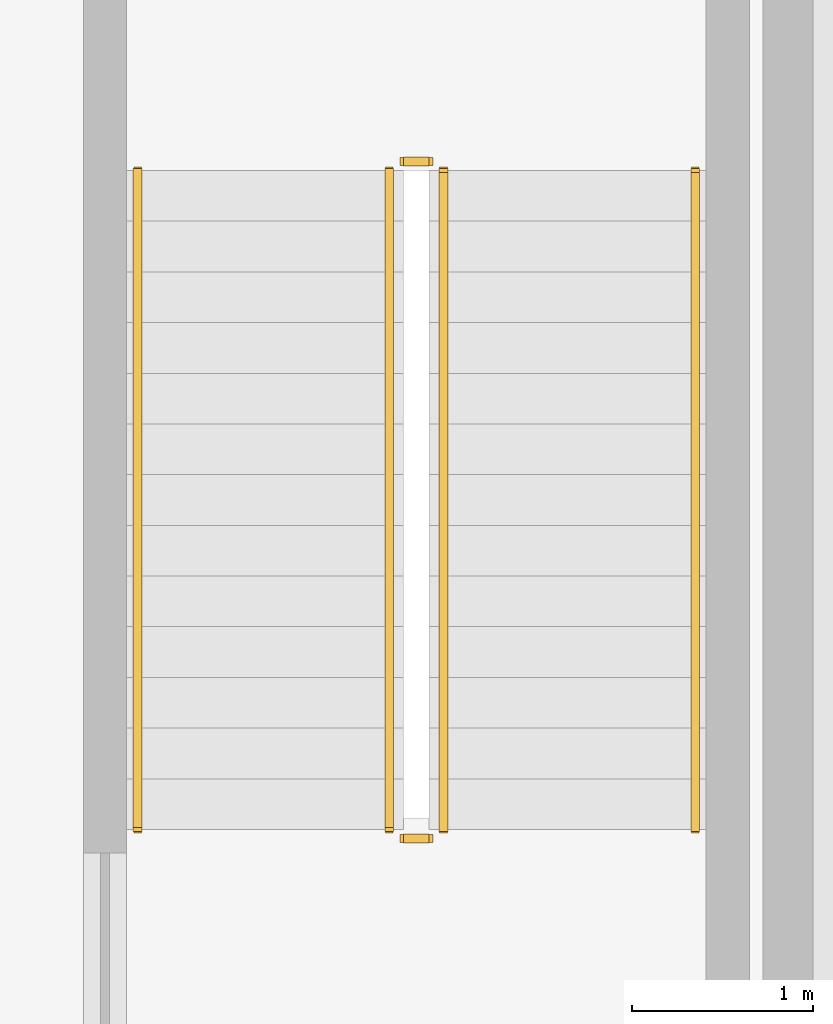
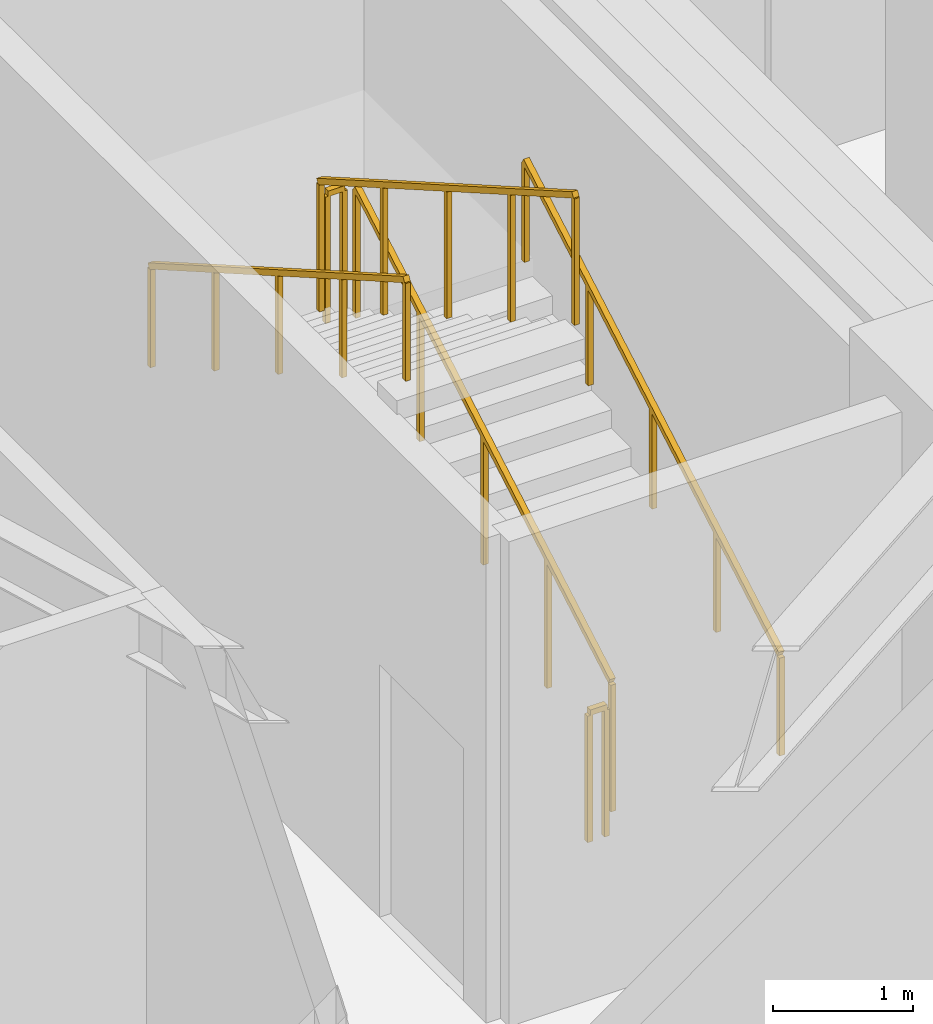
# One storey, part 22 of 25: 6 railings.
"""IFC4 building model written with IfcOpenShell, lengths in metres."""

from ifc_helpers import new_model, si_unit, direction, frame, origin, origin_2d, place, context, subcontext, project, spatial, rectangle, extrude, material, type_object, element, save


model = new_model("IFC4")

# Units and contexts
model_context = context("Model", 3, precision=1e-05, world=origin(), true_north=direction((0.0, 1.0)))
body_context = subcontext(model_context, "Body", "Model", "MODEL_VIEW")
ifc_project = project(units=[si_unit("LENGTHUNIT", "METRE"), si_unit("AREAUNIT", "SQUARE_METRE"), si_unit("VOLUMEUNIT", "CUBIC_METRE"), si_unit("PLANEANGLEUNIT", "RADIAN"), si_unit("MASSUNIT", "GRAM", prefix="KILO")], contexts=[model_context])

# Site, building, storey
site_placement = place(None, origin())
site = spatial("IfcSite", under=ifc_project, at=site_placement, CompositionType="ELEMENT")
building_placement = place(site_placement, origin())
building = spatial("IfcBuilding", under=site, at=building_placement, Name="Liaohun Quay Tower", CompositionType="ELEMENT")
storey_placement = place(building_placement, frame((0.0, 0.0, 93.0)))
storey = spatial("IfcBuildingStorey", under=building, at=storey_placement, Name="L24", CompositionType="ELEMENT", Elevation=93.0)

# Railings
ifc_material_1 = material(Name="Painted tubular steel", Category="steel")
railing_type_1 = type_object("IfcRailingType", Name="RLG-GUARD-STR", PredefinedType="GUARDRAIL", material=ifc_material_1)
railing_1_placement = place(storey_placement, frame((48.81005859375, 48.35009765625, 0.16064453125)))
element("IfcRailing", 1, at=railing_1_placement, inside=storey, type_object=railing_type_1, Name="L24 ST-1 stair guard 1", PredefinedType="GUARDRAIL", context=body_context, shape_type="SweptSolid", body=[
    extrude(rectangle(XDim=0.048095703125, YDim=0.048095703125, at=origin_2d()), frame((0.0, 0.0, 1.1259765625), z_axis=(0.0, 0.8672749571, 0.497829437445), x_axis=(-1.0, 0.0, 0.0)), (0.0, 0.0, 1.0), 4.197021484375),
    extrude(rectangle(XDim=0.0419921875, YDim=0.0419921875, at=origin_2d()), origin(), (0.0, 0.0, 1.0), 1.101806640625),
    extrude(rectangle(XDim=0.0419921875, YDim=0.0419921875, at=origin_2d()), frame((0.0, 0.909912109375, 0.5224609375)), (0.0, 0.0, 1.0), 1.101806640625),
    extrude(rectangle(XDim=0.0419921875, YDim=0.0419921875, at=origin_2d()), frame((0.0, 1.81982421875, 1.044677734375)), (0.0, 0.0, 1.0), 1.101806640625),
    extrude(rectangle(XDim=0.0419921875, YDim=0.0419921875, at=origin_2d()), frame((0.0, 2.72998046875, 1.56689453125)), (0.0, 0.0, 1.0), 1.101806640625),
    extrude(rectangle(XDim=0.0419921875, YDim=0.0419921875, at=origin_2d()), frame((0.0, 3.639892578125, 2.08935546875)), (0.0, 0.0, 1.0), 1.101806640625),
])
railing_2_placement = place(storey_placement, frame((48.72998046875, 52.0400390625, 2.25)))
element("IfcRailing", 2, at=railing_2_placement, inside=storey, type_object=railing_type_1, Name="L24 ST-1 stair guard 2", PredefinedType="GUARDRAIL", context=body_context, shape_type="SweptSolid", body=[
    extrude(rectangle(XDim=0.048095703125, YDim=0.048095703125, at=origin_2d()), frame((0.0, 0.0, 1.1259765625), z_axis=(-1.0, 0.0, 0.0), x_axis=(0.0, -1.0, 0.0)), (0.0, 0.0, 1.0), 0.139892578125),
    extrude(rectangle(XDim=0.0419921875, YDim=0.0419921875, at=origin_2d()), origin(), (0.0, 0.0, 1.0), 1.101806640625),
    extrude(rectangle(XDim=0.0419921875, YDim=0.0419921875, at=origin_2d()), frame((-0.139892578125, 0.0, 0.0)), (0.0, 0.0, 1.0), 1.101806640625),
])
railing_3_placement = place(storey_placement, frame((48.510009765625, 51.989990234375, 2.41064453125)))
element("IfcRailing", 3, at=railing_3_placement, inside=storey, type_object=railing_type_1, Name="L24 ST-1 stair guard 3", PredefinedType="GUARDRAIL", context=body_context, shape_type="SweptSolid", body=[
    extrude(rectangle(XDim=0.048095703125, YDim=0.048095703125, at=origin_2d()), frame((0.0, 0.0, 1.1259765625), z_axis=(0.0, -0.8672749571, 0.497829437445), x_axis=(1.0, 0.0, 0.0)), (0.0, 0.0, 1.0), 4.197021484375),
    extrude(rectangle(XDim=0.0419921875, YDim=0.0419921875, at=origin_2d()), origin(), (0.0, 0.0, 1.0), 1.101806640625),
    extrude(rectangle(XDim=0.0419921875, YDim=0.0419921875, at=origin_2d()), frame((0.0, -0.909912109375, 0.5224609375)), (0.0, 0.0, 1.0), 1.101806640625),
    extrude(rectangle(XDim=0.0419921875, YDim=0.0419921875, at=origin_2d()), frame((0.0, -1.81982421875, 1.044677734375)), (0.0, 0.0, 1.0), 1.101806640625),
    extrude(rectangle(XDim=0.0419921875, YDim=0.0419921875, at=origin_2d()), frame((0.0, -2.72998046875, 1.56689453125)), (0.0, 0.0, 1.0), 1.101806640625),
    extrude(rectangle(XDim=0.0419921875, YDim=0.0419921875, at=origin_2d()), frame((0.0, -3.639892578125, 2.08935546875)), (0.0, 0.0, 1.0), 1.101806640625),
])
railing_4_placement = place(storey_placement, frame((48.72998046875, 48.300048828125, 0.0)))
element("IfcRailing", 4, at=railing_4_placement, inside=storey, type_object=railing_type_1, Name="L24 ST-1 stair guard 4", PredefinedType="GUARDRAIL", context=body_context, shape_type="SweptSolid", body=[
    extrude(rectangle(XDim=0.048095703125, YDim=0.048095703125, at=origin_2d()), frame((0.0, 0.0, 1.1259765625), z_axis=(-1.0, 0.0, 0.0), x_axis=(0.0, -1.0, 0.0)), (0.0, 0.0, 1.0), 0.139892578125),
    extrude(rectangle(XDim=0.0419921875, YDim=0.0419921875, at=origin_2d()), origin(), (0.0, 0.0, 1.0), 1.101806640625),
    extrude(rectangle(XDim=0.0419921875, YDim=0.0419921875, at=origin_2d()), frame((-0.139892578125, 0.0, 0.0)), (0.0, 0.0, 1.0), 1.101806640625),
])
ifc_material_2 = material(Name="Brushed stainless steel", Category="steel")
railing_type_2 = type_object("IfcRailingType", Name="RLG-HND-STR", PredefinedType="HANDRAIL", material=ifc_material_2)
railing_5_placement = place(storey_placement, frame((50.199951171875, 48.35009765625, 0.16064453125)))
element("IfcRailing", 5, at=railing_5_placement, inside=storey, type_object=railing_type_2, Name="L24 ST-1 stair handrail 1", PredefinedType="HANDRAIL", context=body_context, shape_type="SweptSolid", body=[
    extrude(rectangle(XDim=0.048095703125, YDim=0.048095703125, at=origin_2d()), frame((0.0, 0.0, 0.8759765625), z_axis=(0.0, 0.8672749571, 0.497829437445), x_axis=(-1.0, 0.0, 0.0)), (0.0, 0.0, 1.0), 4.197021484375),
    extrude(rectangle(XDim=0.0419921875, YDim=0.0419921875, at=origin_2d()), origin(), (0.0, 0.0, 1.0), 0.851806640625),
    extrude(rectangle(XDim=0.0419921875, YDim=0.0419921875, at=origin_2d()), frame((0.0, 0.909912109375, 0.5224609375)), (0.0, 0.0, 1.0), 0.851806640625),
    extrude(rectangle(XDim=0.0419921875, YDim=0.0419921875, at=origin_2d()), frame((0.0, 1.81982421875, 1.044677734375)), (0.0, 0.0, 1.0), 0.851806640625),
    extrude(rectangle(XDim=0.0419921875, YDim=0.0419921875, at=origin_2d()), frame((0.0, 2.72998046875, 1.56689453125)), (0.0, 0.0, 1.0), 0.851806640625),
    extrude(rectangle(XDim=0.0419921875, YDim=0.0419921875, at=origin_2d()), frame((0.0, 3.639892578125, 2.08935546875)), (0.0, 0.0, 1.0), 0.851806640625),
])
railing_6_placement = place(storey_placement, frame((47.1201171875, 51.989990234375, 2.41064453125)))
element("IfcRailing", 6, at=railing_6_placement, inside=storey, type_object=railing_type_2, Name="L24 ST-1 stair handrail 2", PredefinedType="HANDRAIL", context=body_context, shape_type="SweptSolid", body=[
    extrude(rectangle(XDim=0.048095703125, YDim=0.048095703125, at=origin_2d()), frame((0.0, 0.0, 0.8759765625), z_axis=(0.0, -0.8672749571, 0.497829437445), x_axis=(1.0, 0.0, 0.0)), (0.0, 0.0, 1.0), 4.197021484375),
    extrude(rectangle(XDim=0.0419921875, YDim=0.0419921875, at=origin_2d()), origin(), (0.0, 0.0, 1.0), 0.851806640625),
    extrude(rectangle(XDim=0.0419921875, YDim=0.0419921875, at=origin_2d()), frame((0.0, -0.909912109375, 0.5224609375)), (0.0, 0.0, 1.0), 0.851806640625),
    extrude(rectangle(XDim=0.0419921875, YDim=0.0419921875, at=origin_2d()), frame((0.0, -1.81982421875, 1.044677734375)), (0.0, 0.0, 1.0), 0.851806640625),
    extrude(rectangle(XDim=0.0419921875, YDim=0.0419921875, at=origin_2d()), frame((0.0, -2.72998046875, 1.56689453125)), (0.0, 0.0, 1.0), 0.851806640625),
    extrude(rectangle(XDim=0.0419921875, YDim=0.0419921875, at=origin_2d()), frame((0.0, -3.639892578125, 2.08935546875)), (0.0, 0.0, 1.0), 0.851806640625),
])

save(model, "model.ifc")
